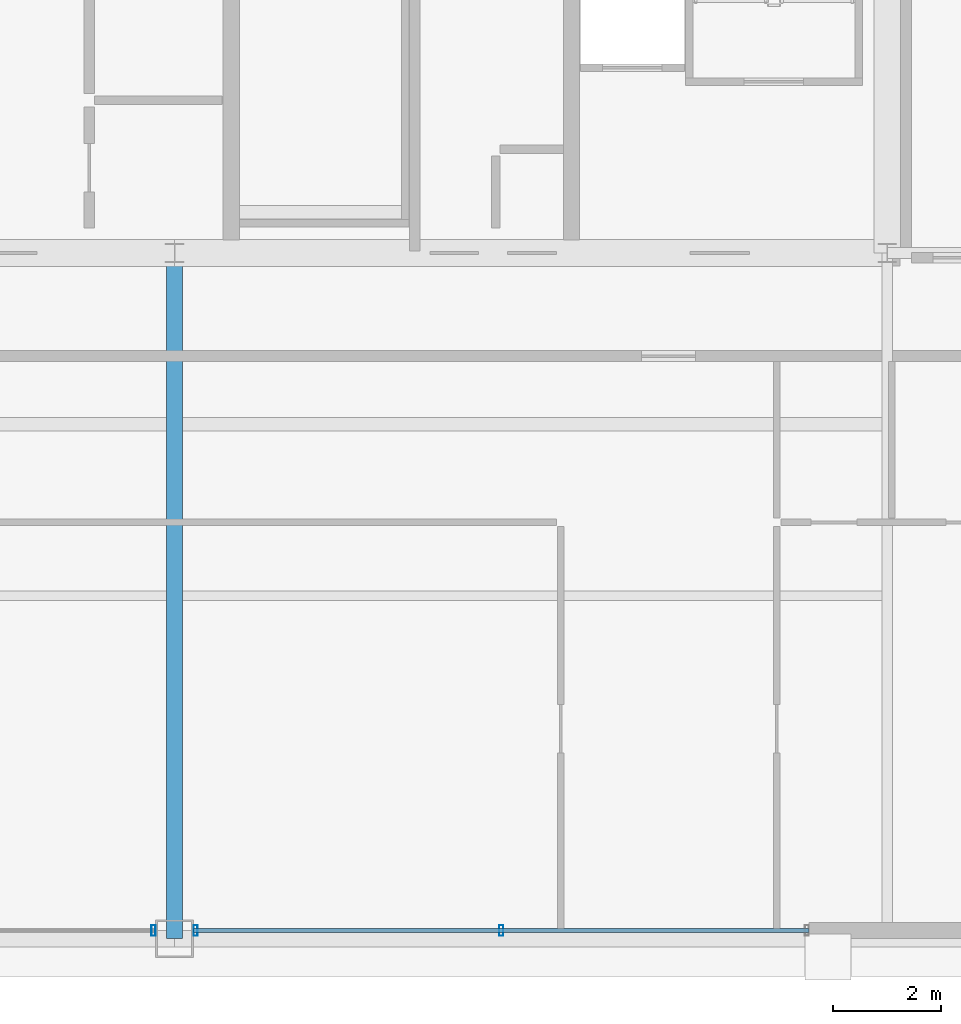
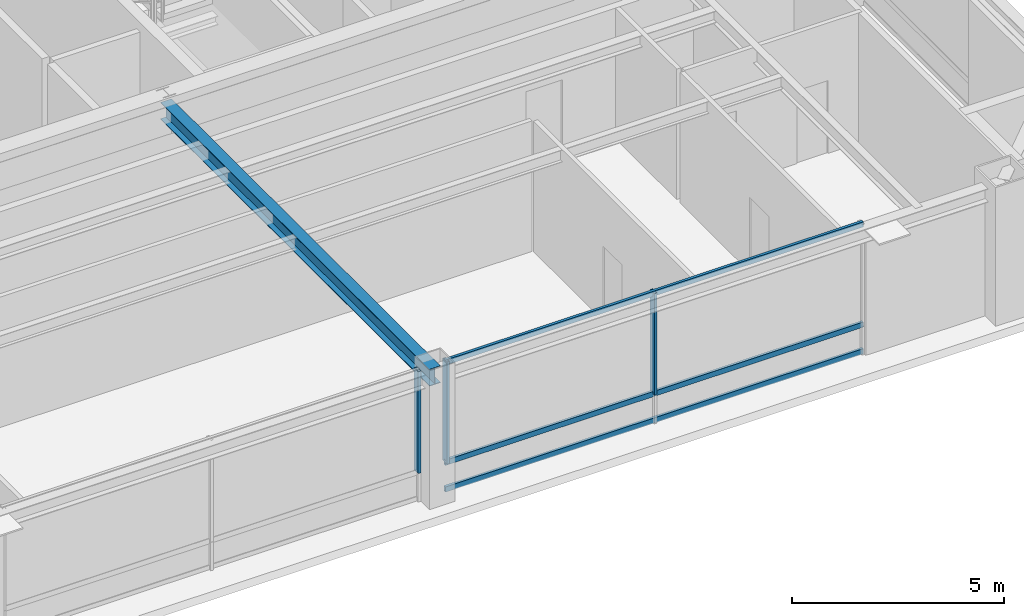
# One storey, part 8 of 34: 6 members, 1 beam, 2 elements without a shape of their own.
"""IFC4 building model written with IfcOpenShell, lengths in metres."""

from ifc_helpers import new_model, si_unit, direction, frame, origin, origin_2d, place, context, subcontext, project, spatial, hollow_rectangle, i_section, extrude, source, transform, mapped, material, layer, layer_set, material_profile, profile_set, type_object, element, aggregate, save


model = new_model("IFC4")

# Units and contexts
model_context = context("Model", 3, precision=1e-05, world=origin(), true_north=direction((0.0, 1.0)))
body_context = subcontext(model_context, "Body", "Model", "MODEL_VIEW")
ifc_project = project(units=[si_unit("LENGTHUNIT", "METRE"), si_unit("AREAUNIT", "SQUARE_METRE"), si_unit("VOLUMEUNIT", "CUBIC_METRE"), si_unit("PLANEANGLEUNIT", "RADIAN"), si_unit("MASSUNIT", "GRAM", prefix="KILO"), si_unit("THERMODYNAMICTEMPERATUREUNIT", "KELVIN"), si_unit("POWERUNIT", "WATT")], contexts=[model_context])

# Site, building, storey
site_placement = place(None, origin())
site = spatial("IfcSite", under=ifc_project, at=site_placement, CompositionType="ELEMENT")
building_placement = place(site_placement, origin())
building = spatial("IfcBuilding", under=site, at=building_placement, Name="Yuzanri Waterfront Tower", CompositionType="ELEMENT")
storey_placement = place(building_placement, frame((0.0, 0.0, 339.199951171875)))
storey = spatial("IfcBuildingStorey", under=building, at=storey_placement, Name="L91", CompositionType="ELEMENT", Elevation=339.199951171875)

# Beam
ifc_material_1 = material(Name="Steel Q355B", Category="steel")
ifc_material_profile_1 = material_profile(ifc_material_1, i_section(OverallWidth=0.300048828125, OverallDepth=0.488037109375, WebThickness=0.010986328125, FlangeThickness=0.01806640625, at=origin_2d()), Name="HM 488x300x11x18")
ifc_profile_set_1 = profile_set([ifc_material_profile_1], Name="Steel Q355B")
beam_type = type_object("IfcBeamType", Name="Primary Floor Girder Q355B HM 488x300", PredefinedType="BEAM", material=ifc_profile_set_1)
shared_shape_1 = source(origin(), body_context, "Body", "SweptSolid", [
    extrude(i_section(OverallWidth=0.300048828125, OverallDepth=0.488037109375, WebThickness=0.010986328125, FlangeThickness=0.01806640625, at=origin_2d()), origin(), (0.0, 0.0, 1.0), 12.699951171875),
])
beam_placement = place(storey_placement, frame((37.0, 19.39990234375, 3.51611328125), z_axis=(0.0, -1.0, 0.0), x_axis=(1.0, 0.0, 0.0)))
element("IfcBeam", 1, at=beam_placement, inside=storey, type_object=beam_type, Name="L91 South Grid Girder", PredefinedType="BEAM", context=body_context, shape_type="MappedRepresentation", body=[
    mapped(shared_shape_1, transform((0.0, 0.0, 0.0), scale=1.0)),
])

# Curtain wall, members
ifc_material_2 = material(Name="Anodized Architectural Bronze", Category="metal")
ifc_layer = layer(ifc_material_2, 0.159912109375)
ifc_layer_set = layer_set([ifc_layer], Name="Anodized Architectural Bronze")
curtain_wall_type = type_object("IfcCurtainWallType", Name="Anodized Bronze High-Rise Penthouse High-Wind Unitized Curtain Wall 6900", PredefinedType="NOTDEFINED", material=ifc_layer_set)
curtain_wall_1_placement = place(storey_placement, origin())
curtain_wall_1 = element("IfcCurtainWall", 2, at=curtain_wall_1_placement, inside=storey, type_object=curtain_wall_type, Name="L91 Curtain Wall CW-L91-SR", PredefinedType="NOTDEFINED")
ifc_material_3 = material(Name="Anodized Architectural Bronze", Category="metal")
ifc_material_profile_2 = material_profile(ifc_material_3, hollow_rectangle(XDim=0.074951171875, YDim=0.14990234375, WallThickness=0.00390625, at=origin_2d()), Name="CWT 75x150")
ifc_profile_set_2 = profile_set([ifc_material_profile_2], Name="Anodized Architectural Bronze")
member_type_1 = type_object("IfcMemberType", Name="Anodized Bronze Primary Curtain-Wall Transom 75x150", PredefinedType="USERDEFINED", material=ifc_profile_set_2)
shared_shape_2 = source(origin(), body_context, "Body", "SweptSolid", [
    extrude(hollow_rectangle(XDim=0.074951171875, YDim=0.14990234375, WallThickness=0.00390625, at=origin_2d()), origin(), (0.0, 0.0, 1.0), 11.39990234375),
])
member_1_placement = place(storey_placement, frame((37.35009765625, 6.85009765625, 0.050048828125), z_axis=(1.0, 0.0, 0.0), x_axis=(0.0, 1.0, 0.0)))
member_1 = element("IfcMember", 3, at=member_1_placement, type_object=member_type_1, Name="CW-L91-SR Transom 1", ObjectType="TRANSOM", PredefinedType="USERDEFINED", context=body_context, shape_type="MappedRepresentation", body=[
    mapped(shared_shape_2, transform((0.0, 0.0, 0.0), scale=1.0)),
])
member_2_placement = place(storey_placement, frame((37.35009765625, 6.85009765625, 0.820068359375), z_axis=(1.0, 0.0, 0.0), x_axis=(0.0, 1.0, 0.0)))
member_2 = element("IfcMember", 4, at=member_2_placement, type_object=member_type_1, Name="CW-L91-SR Transom 2", ObjectType="TRANSOM", PredefinedType="USERDEFINED", context=body_context, shape_type="MappedRepresentation", body=[
    mapped(shared_shape_2, transform((0.0, 0.0, 0.0), scale=1.0)),
])
member_3_placement = place(storey_placement, frame((37.35009765625, 6.85009765625, 3.7099609375), z_axis=(1.0, 0.0, 0.0), x_axis=(0.0, 1.0, 0.0)))
member_3 = element("IfcMember", 5, at=member_3_placement, type_object=member_type_1, Name="CW-L91-SR Transom 3", ObjectType="TRANSOM", PredefinedType="USERDEFINED", context=body_context, shape_type="MappedRepresentation", body=[
    mapped(shared_shape_2, transform((0.0, 0.0, 0.0), scale=1.0)),
])

# Curtain wall, member
curtain_wall_2_placement = place(storey_placement, origin())
curtain_wall_2 = element("IfcCurtainWall", 6, at=curtain_wall_2_placement, inside=storey, type_object=curtain_wall_type, Name="L91 Curtain Wall CW-L91-SL", PredefinedType="NOTDEFINED")
ifc_material_4 = material(Name="Anodized Architectural Bronze", Category="metal")
ifc_material_profile_3 = material_profile(ifc_material_4, hollow_rectangle(XDim=0.074951171875, YDim=0.199951171875, WallThickness=0.00390625, at=origin_2d()), Name="CWM 75x200")
ifc_profile_set_3 = profile_set([ifc_material_profile_3], Name="Anodized Architectural Bronze")
member_type_2 = type_object("IfcMemberType", Name="Anodized Bronze Primary Curtain-Wall Mullion 75x200", PredefinedType="MULLION", material=ifc_profile_set_3)
shared_shape_3 = source(origin(), body_context, "Body", "SweptSolid", [
    extrude(hollow_rectangle(XDim=0.074951171875, YDim=0.199951171875, WallThickness=0.00390625, at=origin_2d()), origin(), (0.0, 0.0, 1.0), 2.93798828125),
])
member_4_placement = place(storey_placement, frame((36.610107421875, 6.85009765625, 0.822021484375), z_axis=(0.0, 0.0, 1.0), x_axis=(1.0, 0.0, 0.0)))
member_4 = element("IfcMember", 7, at=member_4_placement, type_object=member_type_2, Name="CW-L91-SL Upper Mullion 02", PredefinedType="MULLION", context=body_context, shape_type="MappedRepresentation", body=[
    mapped(shared_shape_3, transform((0.0, 0.0, 0.0), scale=1.0)),
])
aggregate(curtain_wall_2, [member_4])

# Member
member_5_placement = place(storey_placement, frame((37.389892578125, 6.85009765625, 0.822021484375), z_axis=(0.0, 0.0, 1.0), x_axis=(1.0, 0.0, 0.0)))
member_5 = element("IfcMember", 8, at=member_5_placement, type_object=member_type_2, Name="CW-L91-SR Upper Mullion 00", PredefinedType="MULLION", context=body_context, shape_type="MappedRepresentation", body=[
    mapped(shared_shape_3, transform((0.0, 0.0, 0.0), scale=1.0)),
])

member_6_placement = place(storey_placement, frame((43.050048828125, 6.85009765625, 0.822021484375), z_axis=(0.0, 0.0, 1.0), x_axis=(1.0, 0.0, 0.0)))
member_6 = element("IfcMember", 9, at=member_6_placement, type_object=member_type_2, Name="CW-L91-SR Upper Mullion 01", PredefinedType="MULLION", context=body_context, shape_type="MappedRepresentation", body=[
    mapped(shared_shape_3, transform((0.0, 0.0, 0.0), scale=1.0)),
])

aggregate(curtain_wall_1, [member_5, member_6, member_1, member_2, member_3])

save(model, "model.ifc")
